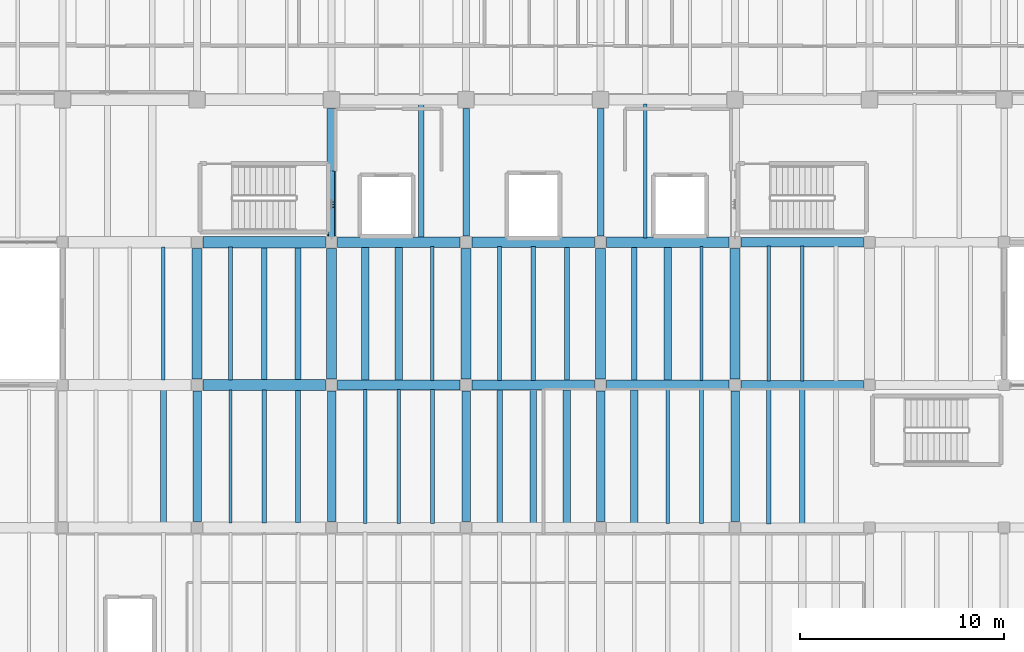
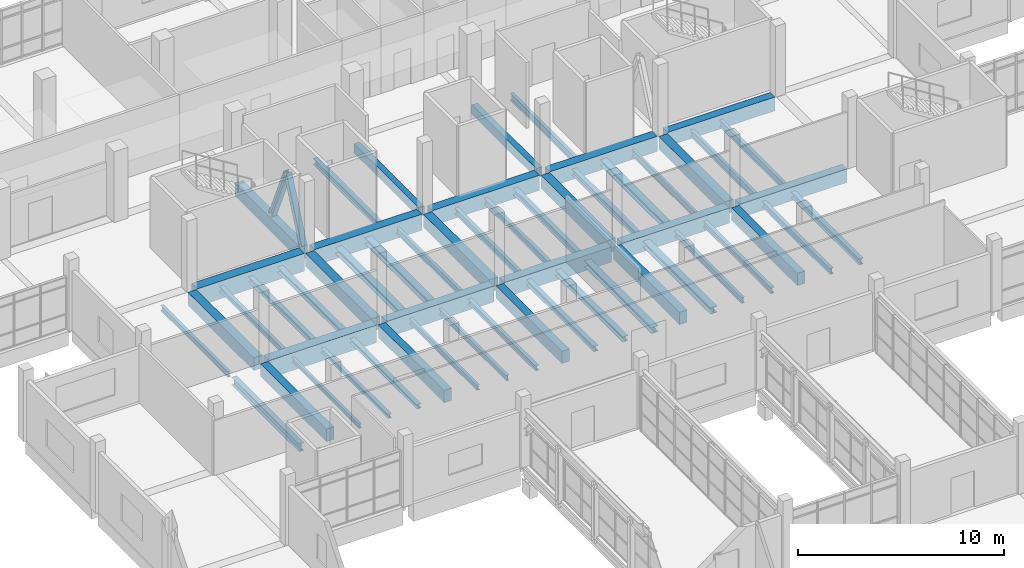
# One storey, part 29 of 67: 55 beams, 2 members.
"""IFC4 building model written with IfcOpenShell, lengths in metres."""

from ifc_helpers import new_model, si_unit, direction, frame, origin, origin_2d, place, context, subcontext, project, spatial, rectangle, i_section, extrude, material, material_profile, profile_set, type_object, element, save


model = new_model("IFC4")

# Units and contexts
model_context = context("Model", 3, precision=1e-05, world=origin(), true_north=direction((0.0, 1.0)))
body_context = subcontext(model_context, "Body", "Model", "MODEL_VIEW")
ifc_project = project(units=[si_unit("LENGTHUNIT", "METRE"), si_unit("AREAUNIT", "SQUARE_METRE"), si_unit("VOLUMEUNIT", "CUBIC_METRE"), si_unit("PLANEANGLEUNIT", "RADIAN"), si_unit("MASSUNIT", "GRAM", prefix="KILO")], contexts=[model_context])

# Site, building, storey
site_placement = place(None, origin())
site = spatial("IfcSite", under=ifc_project, at=site_placement, CompositionType="ELEMENT")
building_placement = place(site_placement, origin())
building = spatial("IfcBuilding", under=site, at=building_placement, Name="Ciguamira Faculty of Natural Sciences", CompositionType="ELEMENT")
storey_placement = place(building_placement, frame((0.0, 0.0, 8.39990234375)))
storey = spatial("IfcBuildingStorey", under=building, at=storey_placement, Name="L02", CompositionType="ELEMENT", Elevation=8.39990234375)

# Beams
ifc_material_1 = material(Name="Concrete C40/50", Category="concrete")
ifc_material_profile_1 = material_profile(ifc_material_1, rectangle(XDim=0.550048828125, YDim=1.050048828125, at=origin_2d()), Name="RC-BM-550X1050")
ifc_profile_set_1 = profile_set([ifc_material_profile_1], Name="Concrete C40/50")
beam_type_1 = type_object("IfcBeamType", Name="RCBeam_BG-01_RC-BM-550X1050", PredefinedType="BEAM", material=ifc_profile_set_1)
for number, where, z_axis, x_axis, name in (
    (1, (70.800048828125, 87.0, -0.52490234375), (1.0, 0.0, 0.0), (0.0, 1.0, 0.0), "L02 RC girder EW-0832"),
    (2, (70.800048828125, 94.0, -0.52490234375), (1.0, 0.0, 0.0), (0.0, 1.0, 0.0), "L02 RC girder EW-0841"),
):
    element("IfcBeam", number, at=place(storey_placement, frame(where, z_axis=z_axis, x_axis=x_axis)), inside=storey, type_object=beam_type_1, Name=name, PredefinedType="BEAM", context=body_context, shape_type="SweptSolid", body=[
        extrude(rectangle(XDim=0.550048828125, YDim=1.050048828125, at=origin_2d()), origin(), (0.0, 0.0, 1.0), 6.0),
    ])
ifc_material_profile_2 = material_profile(ifc_material_1, rectangle(XDim=0.5, YDim=0.949951171875, at=origin_2d()), Name="RC-BM-500X950")
ifc_profile_set_2 = profile_set([ifc_material_profile_2], Name="Concrete C40/50")
beam_type_2 = type_object("IfcBeamType", Name="RCBeam_BG-02_RC-BM-500X950", PredefinedType="BEAM", material=ifc_profile_set_2)
for number, where, z_axis, x_axis, name in (
    (3, (77.39990234375, 87.0, -0.474853515625), (1.0, 0.0, 0.0), (0.0, 1.0, 0.0), "L02 RC girder EW-0833"),
    (4, (77.39990234375, 94.0, -0.474853515625), (1.0, 0.0, 0.0), (0.0, 1.0, 0.0), "L02 RC girder EW-0842"),
):
    element("IfcBeam", number, at=place(storey_placement, frame(where, z_axis=z_axis, x_axis=x_axis)), inside=storey, type_object=beam_type_2, Name=name, PredefinedType="BEAM", context=body_context, shape_type="SweptSolid", body=[
        extrude(rectangle(XDim=0.5, YDim=0.949951171875, at=origin_2d()), origin(), (0.0, 0.0, 1.0), 6.0),
    ])
ifc_material_profile_3 = material_profile(ifc_material_1, rectangle(XDim=0.5, YDim=0.89990234375, at=origin_2d()), Name="RC-BM-500X900")
ifc_profile_set_3 = profile_set([ifc_material_profile_3], Name="Concrete C40/50")
beam_type_3 = type_object("IfcBeamType", Name="RCBeam_BG-03_RC-BM-500X900", PredefinedType="BEAM", material=ifc_profile_set_3)
for number, where, z_axis, x_axis, name in (
    (5, (84.0, 87.0, -0.449951171875), (1.0, 0.0, 0.0), (0.0, 1.0, 0.0), "L02 RC girder EW-0834"),
    (6, (90.60009765625, 87.0, -0.449951171875), (1.0, 0.0, 0.0), (0.0, 1.0, 0.0), "L02 RC girder EW-0835"),
    (7, (84.0, 94.0, -0.449951171875), (1.0, 0.0, 0.0), (0.0, 1.0, 0.0), "L02 RC girder EW-0843"),
    (8, (90.60009765625, 94.0, -0.449951171875), (1.0, 0.0, 0.0), (0.0, 1.0, 0.0), "L02 RC girder EW-0844"),
):
    element("IfcBeam", number, at=place(storey_placement, frame(where, z_axis=z_axis, x_axis=x_axis)), inside=storey, type_object=beam_type_3, Name=name, PredefinedType="BEAM", context=body_context, shape_type="SweptSolid", body=[
        extrude(rectangle(XDim=0.5, YDim=0.89990234375, at=origin_2d()), origin(), (0.0, 0.0, 1.0), 6.0),
    ])
ifc_material_profile_4 = material_profile(ifc_material_1, rectangle(XDim=0.4599609375, YDim=0.820068359375, at=origin_2d()), Name="RC-BM-460X820")
ifc_profile_set_4 = profile_set([ifc_material_profile_4], Name="Concrete C40/50")
beam_type_4 = type_object("IfcBeamType", Name="RCBeam_BG-04_RC-BM-460X820", PredefinedType="BEAM", material=ifc_profile_set_4)
for number, where, z_axis, x_axis, name in (
    (9, (97.199951171875, 87.0, -0.409912109375), (1.0, 0.0, 0.0), (0.0, 1.0, 0.0), "L02 RC girder EW-0836"),
    (10, (97.199951171875, 94.0, -0.409912109375), (1.0, 0.0, 0.0), (0.0, 1.0, 0.0), "L02 RC girder EW-0845"),
):
    element("IfcBeam", number, at=place(storey_placement, frame(where, z_axis=z_axis, x_axis=x_axis)), inside=storey, type_object=beam_type_4, Name=name, PredefinedType="BEAM", context=body_context, shape_type="SweptSolid", body=[
        extrude(rectangle(XDim=0.4599609375, YDim=0.820068359375, at=origin_2d()), origin(), (0.0, 0.0, 1.0), 6.0),
    ])
ifc_material_profile_5 = material_profile(ifc_material_1, rectangle(XDim=0.43994140625, YDim=0.780029296875, at=origin_2d()), Name="RC-BM-440X780")
ifc_profile_set_5 = profile_set([ifc_material_profile_5], Name="Concrete C40/50")
beam_type_5 = type_object("IfcBeamType", Name="RCBeam_BG-06_RC-BM-440X780", PredefinedType="BEAM", material=ifc_profile_set_5)
beam_1_placement = place(storey_placement, frame((77.10009765625, 94.300048828125, -0.389892578125), z_axis=(0.0, 1.0, 0.0), x_axis=(-1.0, 0.0, 0.0)))
element("IfcBeam", 11, at=beam_1_placement, inside=storey, type_object=beam_type_5, Name="L02 core-end brace tie girder 77", PredefinedType="BEAM", context=body_context, shape_type="SweptSolid", body=[
    extrude(rectangle(XDim=0.43994140625, YDim=0.780029296875, at=origin_2d()), origin(), (0.0, 0.0, 1.0), 6.27490234375),
])
ifc_material_profile_6 = material_profile(ifc_material_1, rectangle(XDim=0.419921875, YDim=0.739990234375, at=origin_2d()), Name="RC-BM-420X740")
ifc_profile_set_6 = profile_set([ifc_material_profile_6], Name="Concrete C40/50")
beam_type_6 = type_object("IfcBeamType", Name="RCBeam_BG-07_RC-BM-420X740", PredefinedType="BEAM", material=ifc_profile_set_6)
for number, where, z_axis, x_axis, name in (
    (12, (70.5, 80.300048828125, -0.369873046875), (0.0, 1.0, 0.0), (-1.0, 0.0, 0.0), "L02 girder NS-0929"),
    (13, (77.10009765625, 80.300048828125, -0.369873046875), (0.0, 1.0, 0.0), (-1.0, 0.0, 0.0), "L02 girder NS-0939"),
    (14, (83.699951171875, 80.300048828125, -0.369873046875), (0.0, 1.0, 0.0), (-1.0, 0.0, 0.0), "L02 girder NS-0949"),
    (15, (90.300048828125, 80.300048828125, -0.369873046875), (0.0, 1.0, 0.0), (-1.0, 0.0, 0.0), "L02 girder NS-0960"),
    (16, (96.89990234375, 80.300048828125, -0.369873046875), (0.0, 1.0, 0.0), (-1.0, 0.0, 0.0), "L02 girder NS-0971"),
):
    element("IfcBeam", number, at=place(storey_placement, frame(where, z_axis=z_axis, x_axis=x_axis)), inside=storey, type_object=beam_type_6, Name=name, PredefinedType="BEAM", context=body_context, shape_type="SweptSolid", body=[
        extrude(rectangle(XDim=0.419921875, YDim=0.739990234375, at=origin_2d()), origin(), (0.0, 0.0, 1.0), 6.39990234375),
    ])
ifc_material_profile_7 = material_profile(ifc_material_1, rectangle(XDim=0.320068359375, YDim=0.56005859375, at=origin_2d()), Name="RC-BM-320X560")
ifc_profile_set_7 = profile_set([ifc_material_profile_7], Name="Concrete C40/50")
beam_type_7 = type_object("IfcBeamType", Name="RCBeam_BG-12_RC-BM-320X560", PredefinedType="BEAM", material=ifc_profile_set_7)
for number, where, z_axis, x_axis, name in (
    (17, (83.699951171875, 94.300048828125, -0.27978515625), (0.0, 1.0, 0.0), (-1.0, 0.0, 0.0), "L02 girder NS-0951"),
    (18, (90.300048828125, 94.300048828125, -0.27978515625), (0.0, 1.0, 0.0), (-1.0, 0.0, 0.0), "L02 girder NS-0962"),
):
    element("IfcBeam", number, at=place(storey_placement, frame(where, z_axis=z_axis, x_axis=x_axis)), inside=storey, type_object=beam_type_7, Name=name, PredefinedType="BEAM", context=body_context, shape_type="SweptSolid", body=[
        extrude(rectangle(XDim=0.320068359375, YDim=0.56005859375, at=origin_2d()), origin(), (0.0, 0.0, 1.0), 6.27490234375),
    ])
ifc_material_profile_8 = material_profile(ifc_material_1, rectangle(XDim=0.47998046875, YDim=0.760009765625, at=origin_2d()), Name="RC-TB-480X760")
ifc_profile_set_8 = profile_set([ifc_material_profile_8], Name="Concrete C40/50")
beam_type_8 = type_object("IfcBeamType", Name="RCBeam_TB-01_RC-TB-480X760", PredefinedType="T_BEAM", material=ifc_profile_set_8)
for number, where, z_axis, x_axis, name in (
    (19, (70.5, 87.300048828125, -0.3798828125), (0.0, 1.0, 0.0), (-1.0, 0.0, 0.0), "L02 girder NS-0930"),
    (20, (77.10009765625, 87.300048828125, -0.3798828125), (0.0, 1.0, 0.0), (-1.0, 0.0, 0.0), "L02 girder NS-0940"),
    (21, (83.699951171875, 87.300048828125, -0.3798828125), (0.0, 1.0, 0.0), (-1.0, 0.0, 0.0), "L02 girder NS-0950"),
    (22, (90.300048828125, 87.300048828125, -0.3798828125), (0.0, 1.0, 0.0), (-1.0, 0.0, 0.0), "L02 girder NS-0961"),
    (23, (96.89990234375, 87.300048828125, -0.3798828125), (0.0, 1.0, 0.0), (-1.0, 0.0, 0.0), "L02 girder NS-0972"),
):
    element("IfcBeam", number, at=place(storey_placement, frame(where, z_axis=z_axis, x_axis=x_axis)), inside=storey, type_object=beam_type_8, Name=name, PredefinedType="T_BEAM", context=body_context, shape_type="SweptSolid", body=[
        extrude(rectangle(XDim=0.47998046875, YDim=0.760009765625, at=origin_2d()), origin(), (0.0, 0.0, 1.0), 6.39990234375),
    ])
ifc_material_2 = material(Name="Steel ASTM A992 Grade 50", Category="steel")
ifc_material_profile_9 = material_profile(ifc_material_2, i_section(OverallWidth=0.14599609375, OverallDepth=0.259033203125, WebThickness=0.006103515625, FlangeThickness=0.009033203125, at=origin_2d()), Name="W10X22")
ifc_profile_set_9 = profile_set([ifc_material_profile_9], Name="Steel ASTM A992 Grade 50")
beam_type_9 = type_object("IfcBeamType", Name="SteelJoist_SJ-01_W10X22", PredefinedType="JOIST", material=ifc_profile_set_9)
beam_2_placement = place(storey_placement, frame((72.14990234375, 80.235107421875, -0.409423828125), z_axis=(0.0, 1.0, 0.0), x_axis=(-1.0, 0.0, 0.0)))
element("IfcBeam", 24, at=beam_2_placement, inside=storey, type_object=beam_type_9, Name="L02 composite steel joist 00780", PredefinedType="JOIST", context=body_context, shape_type="SweptSolid", body=[
    extrude(i_section(OverallWidth=0.14599609375, OverallDepth=0.259033203125, WebThickness=0.006103515625, FlangeThickness=0.009033203125, at=origin_2d()), origin(), (0.0, 0.0, 1.0), 6.52978515625),
])
ifc_material_profile_10 = material_profile(ifc_material_2, i_section(OverallWidth=0.2021484375, OverallDepth=0.2470703125, WebThickness=0.00732421875, FlangeThickness=0.010986328125, at=origin_2d()), Name="W10X33")
ifc_profile_set_10 = profile_set([ifc_material_profile_10], Name="Steel ASTM A992 Grade 50")
beam_type_10 = type_object("IfcBeamType", Name="SteelJoist_SJ-02_W10X33", PredefinedType="JOIST", material=ifc_profile_set_10)
beam_3_placement = place(storey_placement, frame((73.800048828125, 80.235107421875, -0.403564453125), z_axis=(0.0, 1.0, 0.0), x_axis=(-1.0, 0.0, 0.0)))
element("IfcBeam", 25, at=beam_3_placement, inside=storey, type_object=beam_type_10, Name="L02 composite steel joist 00781", PredefinedType="JOIST", context=body_context, shape_type="SweptSolid", body=[
    extrude(i_section(OverallWidth=0.2021484375, OverallDepth=0.2470703125, WebThickness=0.00732421875, FlangeThickness=0.010986328125, at=origin_2d()), origin(), (0.0, 0.0, 1.0), 6.52978515625),
])
ifc_material_profile_11 = material_profile(ifc_material_2, i_section(OverallWidth=0.25390625, OverallDepth=0.25390625, WebThickness=0.008544921875, FlangeThickness=0.01416015625, at=origin_2d()), Name="W10X49")
ifc_profile_set_11 = profile_set([ifc_material_profile_11], Name="Steel ASTM A992 Grade 50")
beam_type_11 = type_object("IfcBeamType", Name="SteelJoist_SJ-03_W10X49", PredefinedType="JOIST", material=ifc_profile_set_11)
beam_4_placement = place(storey_placement, frame((75.449951171875, 80.235107421875, -0.406982421875), z_axis=(0.0, 1.0, 0.0), x_axis=(-1.0, 0.0, 0.0)))
element("IfcBeam", 26, at=beam_4_placement, inside=storey, type_object=beam_type_11, Name="L02 composite steel joist 00782", PredefinedType="JOIST", context=body_context, shape_type="SweptSolid", body=[
    extrude(i_section(OverallWidth=0.25390625, OverallDepth=0.25390625, WebThickness=0.008544921875, FlangeThickness=0.01416015625, at=origin_2d()), origin(), (0.0, 0.0, 1.0), 6.52978515625),
])
ifc_material_profile_12 = material_profile(ifc_material_2, i_section(OverallWidth=0.164794921875, OverallDepth=0.309814453125, WebThickness=0.005859375, FlangeThickness=0.009765625, at=origin_2d()), Name="W12X26")
ifc_profile_set_12 = profile_set([ifc_material_profile_12], Name="Steel ASTM A992 Grade 50")
beam_type_12 = type_object("IfcBeamType", Name="SteelJoist_SJ-04_W12X26", PredefinedType="JOIST", material=ifc_profile_set_12)
beam_5_placement = place(storey_placement, frame((78.75, 80.2099609375, -0.434814453125), z_axis=(0.0, 1.0, 0.0), x_axis=(-1.0, 0.0, 0.0)))
element("IfcBeam", 27, at=beam_5_placement, inside=storey, type_object=beam_type_12, Name="L02 composite steel joist 00805", PredefinedType="JOIST", context=body_context, shape_type="SweptSolid", body=[
    extrude(i_section(OverallWidth=0.164794921875, OverallDepth=0.309814453125, WebThickness=0.005859375, FlangeThickness=0.009765625, at=origin_2d()), origin(), (0.0, 0.0, 1.0), 6.580078125),
])
ifc_material_profile_13 = material_profile(ifc_material_2, i_section(OverallWidth=0.16650390625, OverallDepth=0.3173828125, WebThickness=0.007568359375, FlangeThickness=0.01318359375, at=origin_2d()), Name="W12X35")
ifc_profile_set_13 = profile_set([ifc_material_profile_13], Name="Steel ASTM A992 Grade 50")
beam_type_13 = type_object("IfcBeamType", Name="SteelJoist_SJ-05_W12X35", PredefinedType="JOIST", material=ifc_profile_set_13)
beam_6_placement = place(storey_placement, frame((68.85009765625, 87.235107421875, -0.438720703125), z_axis=(0.0, 1.0, 0.0), x_axis=(-1.0, 0.0, 0.0)))
element("IfcBeam", 28, at=beam_6_placement, inside=storey, type_object=beam_type_13, Name="L02 composite steel joist 00758", PredefinedType="JOIST", context=body_context, shape_type="SweptSolid", body=[
    extrude(i_section(OverallWidth=0.16650390625, OverallDepth=0.3173828125, WebThickness=0.007568359375, FlangeThickness=0.01318359375, at=origin_2d()), origin(), (0.0, 0.0, 1.0), 6.52978515625),
])
beam_7_placement = place(storey_placement, frame((80.39990234375, 80.2099609375, -0.438720703125), z_axis=(0.0, 1.0, 0.0), x_axis=(-1.0, 0.0, 0.0)))
element("IfcBeam", 29, at=beam_7_placement, inside=storey, type_object=beam_type_13, Name="L02 composite steel joist 00806", PredefinedType="JOIST", context=body_context, shape_type="SweptSolid", body=[
    extrude(i_section(OverallWidth=0.16650390625, OverallDepth=0.3173828125, WebThickness=0.007568359375, FlangeThickness=0.01318359375, at=origin_2d()), origin(), (0.0, 0.0, 1.0), 6.580078125),
])
ifc_material_profile_14 = material_profile(ifc_material_2, i_section(OverallWidth=0.20458984375, OverallDepth=0.307373046875, WebThickness=0.008544921875, FlangeThickness=0.0146484375, at=origin_2d()), Name="W12X45")
ifc_profile_set_14 = profile_set([ifc_material_profile_14], Name="Steel ASTM A992 Grade 50")
beam_type_14 = type_object("IfcBeamType", Name="SteelJoist_SJ-06_W12X45", PredefinedType="JOIST", material=ifc_profile_set_14)
beam_8_placement = place(storey_placement, frame((72.14990234375, 87.235107421875, -0.43359375), z_axis=(0.0, 1.0, 0.0), x_axis=(-1.0, 0.0, 0.0)))
element("IfcBeam", 30, at=beam_8_placement, inside=storey, type_object=beam_type_14, Name="L02 composite steel joist 00783", PredefinedType="JOIST", context=body_context, shape_type="SweptSolid", body=[
    extrude(i_section(OverallWidth=0.20458984375, OverallDepth=0.307373046875, WebThickness=0.008544921875, FlangeThickness=0.0146484375, at=origin_2d()), origin(), (0.0, 0.0, 1.0), 6.52978515625),
])
beam_9_placement = place(storey_placement, frame((82.050048828125, 80.2099609375, -0.43359375), z_axis=(0.0, 1.0, 0.0), x_axis=(-1.0, 0.0, 0.0)))
element("IfcBeam", 31, at=beam_9_placement, inside=storey, type_object=beam_type_14, Name="L02 composite steel joist 00807", PredefinedType="JOIST", context=body_context, shape_type="SweptSolid", body=[
    extrude(i_section(OverallWidth=0.20458984375, OverallDepth=0.307373046875, WebThickness=0.008544921875, FlangeThickness=0.0146484375, at=origin_2d()), origin(), (0.0, 0.0, 1.0), 6.580078125),
])
ifc_material_profile_15 = material_profile(ifc_material_2, i_section(OverallWidth=0.25390625, OverallDepth=0.307373046875, WebThickness=0.0087890625, FlangeThickness=0.0146484375, at=origin_2d()), Name="W12X53")
ifc_profile_set_15 = profile_set([ifc_material_profile_15], Name="Steel ASTM A992 Grade 50")
beam_type_15 = type_object("IfcBeamType", Name="SteelJoist_SJ-07_W12X53", PredefinedType="JOIST", material=ifc_profile_set_15)
beam_10_placement = place(storey_placement, frame((73.800048828125, 87.235107421875, -0.43359375), z_axis=(0.0, 1.0, 0.0), x_axis=(-1.0, 0.0, 0.0)))
element("IfcBeam", 32, at=beam_10_placement, inside=storey, type_object=beam_type_15, Name="L02 composite steel joist 00784", PredefinedType="JOIST", context=body_context, shape_type="SweptSolid", body=[
    extrude(i_section(OverallWidth=0.25390625, OverallDepth=0.307373046875, WebThickness=0.0087890625, FlangeThickness=0.0146484375, at=origin_2d()), origin(), (0.0, 0.0, 1.0), 6.52978515625),
])
beam_11_placement = place(storey_placement, frame((85.35009765625, 80.2099609375, -0.43359375), z_axis=(0.0, 1.0, 0.0), x_axis=(-1.0, 0.0, 0.0)))
element("IfcBeam", 33, at=beam_11_placement, inside=storey, type_object=beam_type_15, Name="L02 composite steel joist 00831", PredefinedType="JOIST", context=body_context, shape_type="SweptSolid", body=[
    extrude(i_section(OverallWidth=0.25390625, OverallDepth=0.307373046875, WebThickness=0.0087890625, FlangeThickness=0.0146484375, at=origin_2d()), origin(), (0.0, 0.0, 1.0), 6.580078125),
])
ifc_material_profile_16 = material_profile(ifc_material_2, i_section(OverallWidth=0.3046875, OverallDepth=0.307373046875, WebThickness=0.010009765625, FlangeThickness=0.015380859375, at=origin_2d()), Name="W12X65")
ifc_profile_set_16 = profile_set([ifc_material_profile_16], Name="Steel ASTM A992 Grade 50")
beam_type_16 = type_object("IfcBeamType", Name="SteelJoist_SJ-08_W12X65", PredefinedType="JOIST", material=ifc_profile_set_16)
beam_12_placement = place(storey_placement, frame((75.449951171875, 87.235107421875, -0.43359375), z_axis=(0.0, 1.0, 0.0), x_axis=(-1.0, 0.0, 0.0)))
element("IfcBeam", 34, at=beam_12_placement, inside=storey, type_object=beam_type_16, Name="L02 composite steel joist 00785", PredefinedType="JOIST", context=body_context, shape_type="SweptSolid", body=[
    extrude(i_section(OverallWidth=0.3046875, OverallDepth=0.307373046875, WebThickness=0.010009765625, FlangeThickness=0.015380859375, at=origin_2d()), origin(), (0.0, 0.0, 1.0), 6.52978515625),
])
beam_13_placement = place(storey_placement, frame((87.0, 80.2099609375, -0.43359375), z_axis=(0.0, 1.0, 0.0), x_axis=(-1.0, 0.0, 0.0)))
element("IfcBeam", 35, at=beam_13_placement, inside=storey, type_object=beam_type_16, Name="L02 composite steel joist 00832", PredefinedType="JOIST", context=body_context, shape_type="SweptSolid", body=[
    extrude(i_section(OverallWidth=0.3046875, OverallDepth=0.307373046875, WebThickness=0.010009765625, FlangeThickness=0.015380859375, at=origin_2d()), origin(), (0.0, 0.0, 1.0), 6.580078125),
])
ifc_material_profile_17 = material_profile(ifc_material_2, i_section(OverallWidth=0.370849609375, OverallDepth=0.36328125, WebThickness=0.013427734375, FlangeThickness=0.021728515625, at=origin_2d()), Name="W14X109")
ifc_profile_set_17 = profile_set([ifc_material_profile_17], Name="Steel ASTM A992 Grade 50")
beam_type_17 = type_object("IfcBeamType", Name="SteelJoist_SJ-09_W14X109", PredefinedType="JOIST", material=ifc_profile_set_17)
for number, where, z_axis, x_axis, name in (
    (36, (78.75, 87.2099609375, -0.46142578125), (0.0, 1.0, 0.0), (-1.0, 0.0, 0.0), "L02 composite steel joist 00808"),
    (37, (88.64990234375, 80.2099609375, -0.46142578125), (0.0, 1.0, 0.0), (-1.0, 0.0, 0.0), "L02 composite steel joist 00833"),
):
    element("IfcBeam", number, at=place(storey_placement, frame(where, z_axis=z_axis, x_axis=x_axis)), inside=storey, type_object=beam_type_17, Name=name, PredefinedType="JOIST", context=body_context, shape_type="SweptSolid", body=[
        extrude(i_section(OverallWidth=0.370849609375, OverallDepth=0.36328125, WebThickness=0.013427734375, FlangeThickness=0.021728515625, at=origin_2d()), origin(), (0.0, 0.0, 1.0), 6.580078125),
    ])
ifc_material_profile_18 = material_profile(ifc_material_2, i_section(OverallWidth=0.373291015625, OverallDepth=0.373291015625, WebThickness=0.016357421875, FlangeThickness=0.026123046875, at=origin_2d()), Name="W14X132")
ifc_profile_set_18 = profile_set([ifc_material_profile_18], Name="Steel ASTM A992 Grade 50")
beam_type_18 = type_object("IfcBeamType", Name="SteelJoist_SJ-10_W14X132", PredefinedType="JOIST", material=ifc_profile_set_18)
for number, where, z_axis, x_axis, name in (
    (38, (80.39990234375, 87.2099609375, -0.466552734375), (0.0, 1.0, 0.0), (-1.0, 0.0, 0.0), "L02 composite steel joist 00809"),
    (39, (91.949951171875, 80.2099609375, -0.466552734375), (0.0, 1.0, 0.0), (-1.0, 0.0, 0.0), "L02 composite steel joist 00856"),
):
    element("IfcBeam", number, at=place(storey_placement, frame(where, z_axis=z_axis, x_axis=x_axis)), inside=storey, type_object=beam_type_18, Name=name, PredefinedType="JOIST", context=body_context, shape_type="SweptSolid", body=[
        extrude(i_section(OverallWidth=0.373291015625, OverallDepth=0.373291015625, WebThickness=0.016357421875, FlangeThickness=0.026123046875, at=origin_2d()), origin(), (0.0, 0.0, 1.0), 6.580078125),
    ])
ifc_material_profile_19 = material_profile(ifc_material_2, i_section(OverallWidth=0.1708984375, OverallDepth=0.3505859375, WebThickness=0.0068359375, FlangeThickness=0.009765625, at=origin_2d()), Name="W14X30")
ifc_profile_set_19 = profile_set([ifc_material_profile_19], Name="Steel ASTM A992 Grade 50")
beam_type_19 = type_object("IfcBeamType", Name="SteelJoist_SJ-11_W14X30", PredefinedType="JOIST", material=ifc_profile_set_19)
for number, where, z_axis, x_axis, name in (
    (40, (82.050048828125, 87.2099609375, -0.455322265625), (0.0, 1.0, 0.0), (-1.0, 0.0, 0.0), "L02 composite steel joist 00810"),
    (41, (93.60009765625, 80.2099609375, -0.455322265625), (0.0, 1.0, 0.0), (-1.0, 0.0, 0.0), "L02 composite steel joist 00857"),
):
    element("IfcBeam", number, at=place(storey_placement, frame(where, z_axis=z_axis, x_axis=x_axis)), inside=storey, type_object=beam_type_19, Name=name, PredefinedType="JOIST", context=body_context, shape_type="SweptSolid", body=[
        extrude(i_section(OverallWidth=0.1708984375, OverallDepth=0.3505859375, WebThickness=0.0068359375, FlangeThickness=0.009765625, at=origin_2d()), origin(), (0.0, 0.0, 1.0), 6.580078125),
    ])
ifc_material_profile_20 = material_profile(ifc_material_2, i_section(OverallWidth=0.203125, OverallDepth=0.347900390625, WebThickness=0.0078125, FlangeThickness=0.013427734375, at=origin_2d()), Name="W14X43")
ifc_profile_set_20 = profile_set([ifc_material_profile_20], Name="Steel ASTM A992 Grade 50")
beam_type_20 = type_object("IfcBeamType", Name="SteelJoist_SJ-12_W14X43", PredefinedType="JOIST", material=ifc_profile_set_20)
for number, where, z_axis, x_axis, name in (
    (42, (85.35009765625, 87.2099609375, -0.453857421875), (0.0, 1.0, 0.0), (-1.0, 0.0, 0.0), "L02 composite steel joist 00834"),
    (43, (95.25, 80.2099609375, -0.453857421875), (0.0, 1.0, 0.0), (-1.0, 0.0, 0.0), "L02 composite steel joist 00858"),
):
    element("IfcBeam", number, at=place(storey_placement, frame(where, z_axis=z_axis, x_axis=x_axis)), inside=storey, type_object=beam_type_20, Name=name, PredefinedType="JOIST", context=body_context, shape_type="SweptSolid", body=[
        extrude(i_section(OverallWidth=0.203125, OverallDepth=0.347900390625, WebThickness=0.0078125, FlangeThickness=0.013427734375, at=origin_2d()), origin(), (0.0, 0.0, 1.0), 6.580078125),
    ])
ifc_material_profile_21 = material_profile(ifc_material_2, i_section(OverallWidth=0.204833984375, OverallDepth=0.35302734375, WebThickness=0.00927734375, FlangeThickness=0.016845703125, at=origin_2d()), Name="W14X53")
ifc_profile_set_21 = profile_set([ifc_material_profile_21], Name="Steel ASTM A992 Grade 50")
beam_type_21 = type_object("IfcBeamType", Name="SteelJoist_SJ-13_W14X53", PredefinedType="JOIST", material=ifc_profile_set_21)
beam_14_placement = place(storey_placement, frame((87.0, 87.2099609375, -0.456298828125), z_axis=(0.0, 1.0, 0.0), x_axis=(-1.0, 0.0, 0.0)))
element("IfcBeam", 44, at=beam_14_placement, inside=storey, type_object=beam_type_21, Name="L02 composite steel joist 00835", PredefinedType="JOIST", context=body_context, shape_type="SweptSolid", body=[
    extrude(i_section(OverallWidth=0.204833984375, OverallDepth=0.35302734375, WebThickness=0.00927734375, FlangeThickness=0.016845703125, at=origin_2d()), origin(), (0.0, 0.0, 1.0), 6.580078125),
])
beam_15_placement = place(storey_placement, frame((98.550048828125, 80.18994140625, -0.456298828125), z_axis=(0.0, 1.0, 0.0), x_axis=(-1.0, 0.0, 0.0)))
element("IfcBeam", 45, at=beam_15_placement, inside=storey, type_object=beam_type_21, Name="L02 composite steel joist 00882", PredefinedType="JOIST", context=body_context, shape_type="SweptSolid", body=[
    extrude(i_section(OverallWidth=0.204833984375, OverallDepth=0.35302734375, WebThickness=0.00927734375, FlangeThickness=0.016845703125, at=origin_2d()), origin(), (0.0, 0.0, 1.0), 6.6201171875),
])
ifc_material_profile_22 = material_profile(ifc_material_2, i_section(OverallWidth=0.25390625, OverallDepth=0.355712890625, WebThickness=0.010498046875, FlangeThickness=0.018310546875, at=origin_2d()), Name="W14X68")
ifc_profile_set_22 = profile_set([ifc_material_profile_22], Name="Steel ASTM A992 Grade 50")
beam_type_22 = type_object("IfcBeamType", Name="SteelJoist_SJ-14_W14X68", PredefinedType="JOIST", material=ifc_profile_set_22)
beam_16_placement = place(storey_placement, frame((88.64990234375, 87.2099609375, -0.457763671875), z_axis=(0.0, 1.0, 0.0), x_axis=(-1.0, 0.0, 0.0)))
element("IfcBeam", 46, at=beam_16_placement, inside=storey, type_object=beam_type_22, Name="L02 composite steel joist 00836", PredefinedType="JOIST", context=body_context, shape_type="SweptSolid", body=[
    extrude(i_section(OverallWidth=0.25390625, OverallDepth=0.355712890625, WebThickness=0.010498046875, FlangeThickness=0.018310546875, at=origin_2d()), origin(), (0.0, 0.0, 1.0), 6.580078125),
])
beam_17_placement = place(storey_placement, frame((100.199951171875, 80.18994140625, -0.457763671875), z_axis=(0.0, 1.0, 0.0), x_axis=(-1.0, 0.0, 0.0)))
element("IfcBeam", 47, at=beam_17_placement, inside=storey, type_object=beam_type_22, Name="L02 composite steel joist 00883", PredefinedType="JOIST", context=body_context, shape_type="SweptSolid", body=[
    extrude(i_section(OverallWidth=0.25390625, OverallDepth=0.355712890625, WebThickness=0.010498046875, FlangeThickness=0.018310546875, at=origin_2d()), origin(), (0.0, 0.0, 1.0), 6.6201171875),
])
ifc_material_profile_23 = material_profile(ifc_material_2, i_section(OverallWidth=0.256591796875, OverallDepth=0.36328125, WebThickness=0.012939453125, FlangeThickness=0.021728515625, at=origin_2d()), Name="W14X82")
ifc_profile_set_23 = profile_set([ifc_material_profile_23], Name="Steel ASTM A992 Grade 50")
beam_type_23 = type_object("IfcBeamType", Name="SteelJoist_SJ-15_W14X82", PredefinedType="JOIST", material=ifc_profile_set_23)
for number, where, z_axis, x_axis, name in (
    (48, (81.5, 94.2099609375, -0.42138671875), (0.0, 1.0, 0.0), (-1.0, 0.0, 0.0), "L02 composite steel joist 00811"),
    (49, (91.949951171875, 87.2099609375, -0.46142578125), (0.0, 1.0, 0.0), (-1.0, 0.0, 0.0), "L02 composite steel joist 00859"),
):
    element("IfcBeam", number, at=place(storey_placement, frame(where, z_axis=z_axis, x_axis=x_axis)), inside=storey, type_object=beam_type_23, Name=name, PredefinedType="JOIST", context=body_context, shape_type="SweptSolid", body=[
        extrude(i_section(OverallWidth=0.256591796875, OverallDepth=0.36328125, WebThickness=0.012939453125, FlangeThickness=0.021728515625, at=origin_2d()), origin(), (0.0, 0.0, 1.0), 6.580078125),
    ])
ifc_material_profile_24 = material_profile(ifc_material_2, i_section(OverallWidth=0.368408203125, OverallDepth=0.355712890625, WebThickness=0.01123046875, FlangeThickness=0.01806640625, at=origin_2d()), Name="W14X90")
ifc_profile_set_24 = profile_set([ifc_material_profile_24], Name="Steel ASTM A992 Grade 50")
beam_type_24 = type_object("IfcBeamType", Name="SteelJoist_SJ-16_W14X90", PredefinedType="JOIST", material=ifc_profile_set_24)
beam_18_placement = place(storey_placement, frame((93.60009765625, 87.2099609375, -0.457763671875), z_axis=(0.0, 1.0, 0.0), x_axis=(-1.0, 0.0, 0.0)))
element("IfcBeam", 50, at=beam_18_placement, inside=storey, type_object=beam_type_24, Name="L02 composite steel joist 00860", PredefinedType="JOIST", context=body_context, shape_type="SweptSolid", body=[
    extrude(i_section(OverallWidth=0.368408203125, OverallDepth=0.355712890625, WebThickness=0.01123046875, FlangeThickness=0.01806640625, at=origin_2d()), origin(), (0.0, 0.0, 1.0), 6.580078125),
])
ifc_material_profile_25 = material_profile(ifc_material_2, i_section(OverallWidth=0.140380859375, OverallDepth=0.40380859375, WebThickness=0.007080078125, FlangeThickness=0.01123046875, at=origin_2d()), Name="W16X31")
ifc_profile_set_25 = profile_set([ifc_material_profile_25], Name="Steel ASTM A992 Grade 50")
beam_type_25 = type_object("IfcBeamType", Name="SteelJoist_SJ-17_W16X31", PredefinedType="JOIST", material=ifc_profile_set_25)
beam_19_placement = place(storey_placement, frame((95.25, 87.2099609375, -0.481689453125), z_axis=(0.0, 1.0, 0.0), x_axis=(-1.0, 0.0, 0.0)))
element("IfcBeam", 51, at=beam_19_placement, inside=storey, type_object=beam_type_25, Name="L02 composite steel joist 00861", PredefinedType="JOIST", context=body_context, shape_type="SweptSolid", body=[
    extrude(i_section(OverallWidth=0.140380859375, OverallDepth=0.40380859375, WebThickness=0.007080078125, FlangeThickness=0.01123046875, at=origin_2d()), origin(), (0.0, 0.0, 1.0), 6.580078125),
])
ifc_material_profile_26 = material_profile(ifc_material_2, i_section(OverallWidth=0.177490234375, OverallDepth=0.40380859375, WebThickness=0.007568359375, FlangeThickness=0.010986328125, at=origin_2d()), Name="W16X36")
ifc_profile_set_26 = profile_set([ifc_material_profile_26], Name="Steel ASTM A992 Grade 50")
beam_type_26 = type_object("IfcBeamType", Name="SteelJoist_SJ-18_W16X36", PredefinedType="JOIST", material=ifc_profile_set_26)
beam_20_placement = place(storey_placement, frame((98.550048828125, 87.18994140625, -0.481689453125), z_axis=(0.0, 1.0, 0.0), x_axis=(-1.0, 0.0, 0.0)))
element("IfcBeam", 52, at=beam_20_placement, inside=storey, type_object=beam_type_26, Name="L02 composite steel joist 00885", PredefinedType="JOIST", context=body_context, shape_type="SweptSolid", body=[
    extrude(i_section(OverallWidth=0.177490234375, OverallDepth=0.40380859375, WebThickness=0.007568359375, FlangeThickness=0.010986328125, at=origin_2d()), origin(), (0.0, 0.0, 1.0), 6.6201171875),
])
ifc_material_profile_27 = material_profile(ifc_material_2, i_section(OverallWidth=0.1787109375, OverallDepth=0.408935546875, WebThickness=0.0087890625, FlangeThickness=0.014404296875, at=origin_2d()), Name="W16X45")
ifc_profile_set_27 = profile_set([ifc_material_profile_27], Name="Steel ASTM A992 Grade 50")
beam_type_27 = type_object("IfcBeamType", Name="SteelJoist_SJ-19_W16X45", PredefinedType="JOIST", material=ifc_profile_set_27)
beam_21_placement = place(storey_placement, frame((100.199951171875, 87.18994140625, -0.484375), z_axis=(0.0, 1.0, 0.0), x_axis=(-1.0, 0.0, 0.0)))
element("IfcBeam", 53, at=beam_21_placement, inside=storey, type_object=beam_type_27, Name="L02 composite steel joist 00886", PredefinedType="JOIST", context=body_context, shape_type="SweptSolid", body=[
    extrude(i_section(OverallWidth=0.1787109375, OverallDepth=0.408935546875, WebThickness=0.0087890625, FlangeThickness=0.014404296875, at=origin_2d()), origin(), (0.0, 0.0, 1.0), 6.6201171875),
])
ifc_material_profile_28 = material_profile(ifc_material_2, i_section(OverallWidth=0.180908203125, OverallDepth=0.41650390625, WebThickness=0.010986328125, FlangeThickness=0.01806640625, at=origin_2d()), Name="W16X57")
ifc_profile_set_28 = profile_set([ifc_material_profile_28], Name="Steel ASTM A992 Grade 50")
beam_type_28 = type_object("IfcBeamType", Name="SteelJoist_SJ-20_W16X57", PredefinedType="JOIST", material=ifc_profile_set_28)
beam_22_placement = place(storey_placement, frame((92.5, 94.2099609375, -0.4482421875), z_axis=(0.0, 1.0, 0.0), x_axis=(-1.0, 0.0, 0.0)))
element("IfcBeam", 54, at=beam_22_placement, inside=storey, type_object=beam_type_28, Name="L02 composite steel joist 00862", PredefinedType="JOIST", context=body_context, shape_type="SweptSolid", body=[
    extrude(i_section(OverallWidth=0.180908203125, OverallDepth=0.41650390625, WebThickness=0.010986328125, FlangeThickness=0.01806640625, at=origin_2d()), origin(), (0.0, 0.0, 1.0), 6.580078125),
])
ifc_material_profile_29 = material_profile(ifc_material_2, i_section(OverallWidth=0.279296875, OverallDepth=0.462158203125, WebThickness=0.0107421875, FlangeThickness=0.017333984375, at=origin_2d()), Name="W18X76")
ifc_profile_set_29 = profile_set([ifc_material_profile_29], Name="Steel ASTM A992 Grade 50")
beam_type_29 = type_object("IfcBeamType", Name="SteelJoist_SJ-25_W18X76", PredefinedType="JOIST", material=ifc_profile_set_29)
beam_23_placement = place(storey_placement, frame((68.85009765625, 80.235107421875, -0.510986328125), z_axis=(0.0, 1.0, 0.0), x_axis=(-1.0, 0.0, 0.0)))
element("IfcBeam", 55, at=beam_23_placement, inside=storey, type_object=beam_type_29, Name="L02 composite steel joist 00755", PredefinedType="JOIST", context=body_context, shape_type="SweptSolid", body=[
    extrude(i_section(OverallWidth=0.279296875, OverallDepth=0.462158203125, WebThickness=0.0107421875, FlangeThickness=0.017333984375, at=origin_2d()), origin(), (0.0, 0.0, 1.0), 6.52978515625),
])

# Members
ifc_material_profile_30 = material_profile(ifc_material_2, i_section(OverallWidth=0.3046875, OverallDepth=0.307373046875, WebThickness=0.010009765625, FlangeThickness=0.015380859375, at=origin_2d()), Name="W12X65")
ifc_profile_set_30 = profile_set([ifc_material_profile_30], Name="Steel ASTM A992 Grade 50")
member_type = type_object("IfcMemberType", Name="SteelMember_BR-04_W12X65", PredefinedType="BRACE", material=ifc_profile_set_30)
for number, where, z_axis, x_axis, name in (
    (56, (77.10009765625, 94.35009765625, 0.0), (0.0, 0.401645143601, 0.915795380323), (-1.0, 0.0, 0.0), "L02 lateral chevron brace 013"),
    (57, (77.10009765625, 97.35009765625, 0.0), (0.0, -0.401645143601, 0.915795380323), (1.0, 0.0, 0.0), "L02 lateral chevron brace 014"),
):
    element("IfcMember", number, at=place(storey_placement, frame(where, z_axis=z_axis, x_axis=x_axis)), inside=storey, type_object=member_type, Name=name, PredefinedType="BRACE", context=body_context, shape_type="SweptSolid", body=[
        extrude(i_section(OverallWidth=0.3046875, OverallDepth=0.307373046875, WebThickness=0.010009765625, FlangeThickness=0.015380859375, at=origin_2d()), origin(), (0.0, 0.0, 1.0), 3.734619140625),
    ])

save(model, "model.ifc")
